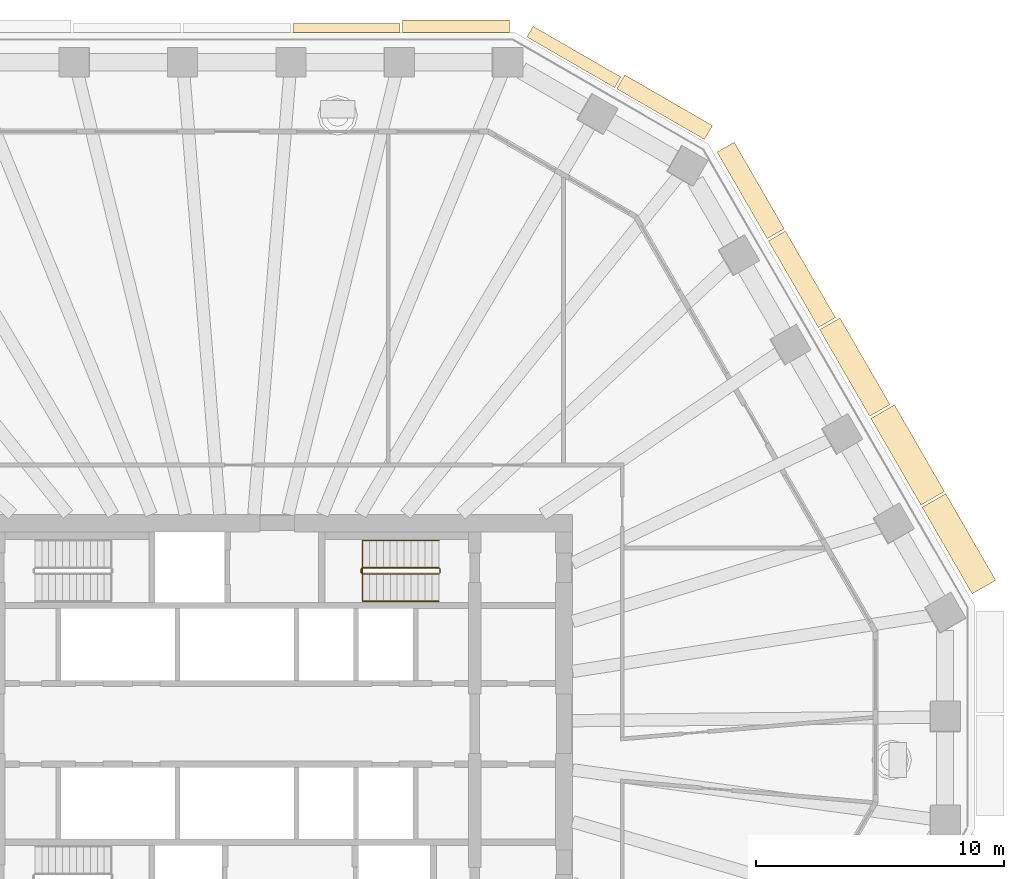
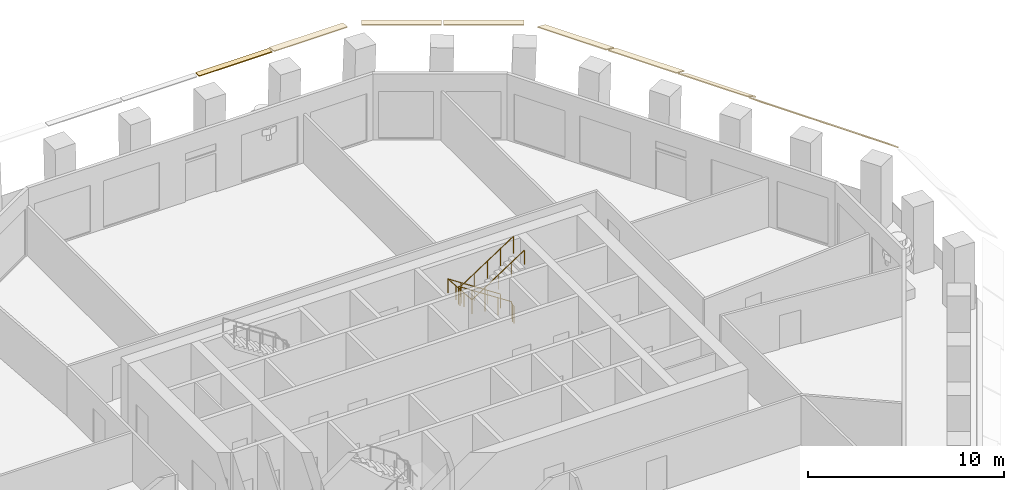
# One storey, part 10 of 12: 9 coverings, 2 railings.
"""IFC4 building model written with IfcOpenShell, lengths in metres."""

from ifc_helpers import new_model, si_unit, direction, frame, origin, origin_2d, place, context, subcontext, project, spatial, polyline, circle, outline, extrude, material, layer, layer_set, type_object, element, save


model = new_model("IFC4")

# Units and contexts
model_context = context("Model", 3, precision=1e-05, world=origin(), true_north=direction((0.0, 1.0)))
body_context = subcontext(model_context, "Body", "Model", "MODEL_VIEW")
ifc_project = project(units=[si_unit("LENGTHUNIT", "METRE"), si_unit("AREAUNIT", "SQUARE_METRE"), si_unit("VOLUMEUNIT", "CUBIC_METRE"), si_unit("PLANEANGLEUNIT", "RADIAN"), si_unit("MASSUNIT", "GRAM", prefix="KILO")], contexts=[model_context])

# Site, building, storey
site_placement = place(None, origin())
site = spatial("IfcSite", under=ifc_project, at=site_placement, CompositionType="ELEMENT")
building_placement = place(site_placement, origin())
building = spatial("IfcBuilding", under=site, at=building_placement, Name="Frailejon Research Tower", CompositionType="ELEMENT")
storey_placement = place(building_placement, frame((0.0, 0.0, 154.0)))
storey = spatial("IfcBuildingStorey", under=building, at=storey_placement, Name="L33", CompositionType="ELEMENT", Elevation=154.0)

# Coverings
ifc_material_1 = material(Name="Precast concrete C50/60", Category="concrete")
ifc_layer_1 = layer(ifc_material_1, 0.06005859375)
ifc_layer_set_1 = layer_set([ifc_layer_1], Name="Brim blade depth 1100")
covering_type_1 = type_object("IfcCoveringType", Name="Brim blade depth 1100", PredefinedType="CLADDING", material=ifc_layer_set_1)
for number, where, z_axis, x_axis, name in (
    (1, (27.6484375, 8.7412109375, 4.25), (0.500005682111, -0.866022123192, 0.0), (0.866022123192, 0.500005682111, 0.0), "Brim blade L33"),
    (2, (25.580322265625, 12.322998046875, 4.25), (0.49998754911, -0.86603259219, 0.0), (0.86603259219, 0.49998754911, 0.0), "Brim blade L33"),
):
    element("IfcCovering", number, at=place(storey_placement, frame(where, z_axis=z_axis, x_axis=x_axis)), inside=storey, type_object=covering_type_1, Name=name, PredefinedType="CLADDING", context=body_context, shape_type="SweptSolid", body=[
        extrude(outline(polyline([(0.0, -0.078369140625), (1.10009765625, -1.001220703125), (1.10009765625, -0.923095703125), (0.0, 0.0), (0.0, -0.078369140625)])), origin(), (0.0, 0.0, 1.0), 4.0361328125),
    ])
ifc_material_2 = material(Name="Precast concrete C50/60", Category="concrete")
ifc_layer_2 = layer(ifc_material_2, 0.06005859375)
ifc_layer_set_2 = layer_set([ifc_layer_2], Name="Brim blade depth 350")
covering_type_2 = type_object("IfcCoveringType", Name="Brim blade depth 350", PredefinedType="CLADDING", material=ifc_layer_set_2)
covering_1_placement = place(storey_placement, frame((2.26171875, 27.89990234375, 4.25), z_axis=(1.0, 0.0, 0.0), x_axis=(0.0, 1.0, 0.0)))
element("IfcCovering", 3, at=covering_1_placement, inside=storey, type_object=covering_type_2, Name="Brim blade L33", PredefinedType="CLADDING", context=body_context, shape_type="SweptSolid", body=[
    extrude(outline(polyline([(0.0, -0.06005859375), (0.35009765625, -0.06005859375), (0.35009765625, 0.0), (0.0, 0.0), (0.0, -0.06005859375)])), origin(), (0.0, 0.0, 1.0), 4.323486328125),
])
ifc_material_3 = material(Name="Precast concrete C50/60", Category="concrete")
ifc_layer_3 = layer(ifc_material_3, 0.06005859375)
ifc_layer_set_3 = layer_set([ifc_layer_3], Name="Brim blade depth 500")
covering_type_3 = type_object("IfcCoveringType", Name="Brim blade depth 500", PredefinedType="CLADDING", material=ifc_layer_set_3)
covering_2_placement = place(storey_placement, frame((11.7021484375, 27.714111328125, 4.25), z_axis=(0.866021344981, -0.500007029989, 0.0), x_axis=(0.500007029989, 0.866021344981, 0.0)))
element("IfcCovering", 4, at=covering_2_placement, inside=storey, type_object=covering_type_3, Name="Brim blade L33", PredefinedType="CLADDING", context=body_context, shape_type="SweptSolid", body=[
    extrude(outline(polyline([(0.0, -0.060546875), (0.5, -0.130859375), (0.5, -0.0703125), (0.0, 0.0), (0.0, -0.060546875)])), origin(), (0.0, 0.0, 1.0), 4.08740234375),
])
covering_3_placement = place(storey_placement, frame((6.685302734375, 27.89990234375, 4.25), z_axis=(1.0, 0.0, 0.0), x_axis=(0.0, 1.0, 0.0)))
element("IfcCovering", 5, at=covering_3_placement, inside=storey, type_object=covering_type_3, Name="Brim blade L33", PredefinedType="CLADDING", context=body_context, shape_type="SweptSolid", body=[
    extrude(outline(polyline([(0.0, -0.060546875), (0.5, -0.130859375), (0.5, -0.0703125), (0.0, 0.0), (0.0, -0.060546875)])), origin(), (0.0, 0.0, 1.0), 4.323486328125),
])
ifc_material_4 = material(Name="Precast concrete C50/60", Category="concrete")
ifc_layer_4 = layer(ifc_material_4, 0.06005859375)
ifc_layer_set_4 = layer_set([ifc_layer_4], Name="Brim blade depth 650")
covering_type_4 = type_object("IfcCoveringType", Name="Brim blade depth 650", PredefinedType="CLADDING", material=ifc_layer_set_4)
covering_4_placement = place(storey_placement, frame((15.32861328125, 25.620361328125, 4.25), z_axis=(0.866021344981, -0.500007029989, 0.0), x_axis=(0.500007029989, 0.866021344981, 0.0)))
element("IfcCovering", 6, at=covering_4_placement, inside=storey, type_object=covering_type_4, Name="Brim blade L33", PredefinedType="CLADDING", context=body_context, shape_type="SweptSolid", body=[
    extrude(outline(polyline([(0.0, -0.0625), (0.64990234375, -0.248779296875), (0.64990234375, -0.186279296875), (0.0, 0.0), (0.0, -0.0625)])), origin(), (0.0, 0.0, 1.0), 4.08740234375),
])
ifc_material_5 = material(Name="Precast concrete C50/60", Category="concrete")
ifc_layer_5 = layer(ifc_material_5, 0.06005859375)
ifc_layer_set_5 = layer_set([ifc_layer_5], Name="Brim blade depth 800")
covering_type_5 = type_object("IfcCoveringType", Name="Brim blade depth 800", PredefinedType="CLADDING", material=ifc_layer_set_5)
for number, where, z_axis, x_axis, name in (
    (7, (21.444091796875, 19.487060546875, 4.25), (0.500005682111, -0.866022123192, 0.0), (0.866022123192, 0.500005682111, 0.0), "Brim blade L33"),
    (8, (19.376220703125, 23.069091796875, 4.25), (0.500005682111, -0.866022123192, 0.0), (0.866022123192, 0.500005682111, 0.0), "Brim blade L33"),
):
    element("IfcCovering", number, at=place(storey_placement, frame(where, z_axis=z_axis, x_axis=x_axis)), inside=storey, type_object=covering_type_5, Name=name, PredefinedType="CLADDING", context=body_context, shape_type="SweptSolid", body=[
        extrude(outline(polyline([(0.0, -0.065673828125), (0.800048828125, -0.421875), (0.800048828125, -0.356201171875), (0.0, 0.0), (0.0, -0.065673828125)])), origin(), (0.0, 0.0, 1.0), 4.0361328125),
    ])
ifc_material_6 = material(Name="Precast concrete C50/60", Category="concrete")
ifc_layer_6 = layer(ifc_material_6, 0.06005859375)
ifc_layer_set_6 = layer_set([ifc_layer_6], Name="Brim blade depth 950")
covering_type_6 = type_object("IfcCoveringType", Name="Brim blade depth 950", PredefinedType="CLADDING", material=ifc_layer_set_6)
covering_5_placement = place(storey_placement, frame((23.51220703125, 15.905029296875, 4.25), z_axis=(0.500005682111, -0.866022123192, 0.0), x_axis=(0.866022123192, 0.500005682111, 0.0)))
element("IfcCovering", 9, at=covering_5_placement, inside=storey, type_object=covering_type_6, Name="Brim blade L33", PredefinedType="CLADDING", context=body_context, shape_type="SweptSolid", body=[
    extrude(outline(polyline([(0.0, -0.07080078125), (0.949951171875, -0.664306640625), (0.949951171875, -0.593505859375), (0.0, 0.0), (0.0, -0.07080078125)])), origin(), (0.0, 0.0, 1.0), 4.0361328125),
])

# Railings
ifc_material_7 = material(Name="Stainless steel", Category="steel")
railing_type_1 = type_object("IfcRailingType", Name="Stair guard 1100", PredefinedType="GUARDRAIL", material=ifc_material_7)
railing_1_placement = place(storey_placement, frame((8.199951171875, 6.10009765625, 0.0)))
element("IfcRailing", 10, at=railing_1_placement, inside=storey, type_object=railing_type_1, Name="L33 ST3 stair guard 1", PredefinedType="GUARDRAIL", context=body_context, shape_type="SweptSolid", body=[
    extrude(circle(Radius=0.02392578125, at=origin_2d()), frame((0.0, 0.0, 1.076171875), z_axis=(0.0, 1.0, 0.0), x_axis=(-1.0, 0.0, 0.0)), (0.0, 0.0, 1.0), 0.14990234375),
    extrude(circle(Radius=0.02392578125, at=origin_2d()), frame((0.0, 0.14990234375, 1.076171875), z_axis=(-0.254653276557, 0.254653276557, 0.932900539971), x_axis=(-0.707106781187, -0.707106781187, 0.0)), (0.0, 0.0, 1.0), 0.196533203125),
    extrude(circle(Radius=0.02392578125, at=origin_2d()), frame((-0.050048828125, 0.199951171875, 1.25927734375), z_axis=(-0.836613101238, 0.0, 0.547794230379), x_axis=(0.0, -1.0, 0.0)), (0.0, 0.0, 1.0), 3.681396484375),
    extrude(circle(Radius=0.02392578125, at=origin_2d()), frame((-3.1298828125, 0.199951171875, 3.27587890625), z_axis=(-0.707106781187, -0.707106781187, 0.0), x_axis=(0.707106781187, -0.707106781187, 0.0)), (0.0, 0.0, 1.0), 0.07080078125),
    extrude(circle(Radius=0.02392578125, at=origin_2d()), frame((-3.179931640625, 0.14990234375, 3.27587890625), z_axis=(0.0, -1.0, 0.0), x_axis=(1.0, 0.0, 0.0)), (0.0, 0.0, 1.0), 0.14990234375),
    extrude(circle(Radius=0.02392578125, at=origin_2d()), frame((-3.179931640625, 0.0, 3.27587890625), z_axis=(0.254653276557, -0.254653276557, 0.932900539971), x_axis=(0.707106781187, 0.707106781187, 0.0)), (0.0, 0.0, 1.0), 0.196533203125),
    extrude(circle(Radius=0.02392578125, at=origin_2d()), frame((-3.1298828125, -0.050048828125, 3.45947265625), z_axis=(0.836613101238, 0.0, 0.547794230379), x_axis=(0.0, 1.0, 0.0)), (0.0, 0.0, 1.0), 3.681396484375),
    extrude(circle(Radius=0.02099609375, at=origin_2d()), origin(), (0.0, 0.0, 1.0), 1.052001953125),
    extrude(circle(Radius=0.02099609375, at=origin_2d()), frame((0.0, 0.14990234375, 0.0)), (0.0, 0.0, 1.0), 1.052001953125),
    extrude(circle(Radius=0.02099609375, at=origin_2d()), frame((-0.050048828125, 0.199951171875, 0.183349609375)), (0.0, 0.0, 1.0), 1.052001953125),
    extrude(circle(Radius=0.02099609375, at=origin_2d()), frame((-0.820068359375, 0.199951171875, 0.6875)), (0.0, 0.0, 1.0), 1.052001953125),
    extrude(circle(Radius=0.02099609375, at=origin_2d()), frame((-1.58984375, 0.199951171875, 1.191650390625)), (0.0, 0.0, 1.0), 1.052001953125),
    extrude(circle(Radius=0.02099609375, at=origin_2d()), frame((-2.35986328125, 0.199951171875, 1.69580078125)), (0.0, 0.0, 1.0), 1.052001953125),
    extrude(circle(Radius=0.02099609375, at=origin_2d()), frame((-3.1298828125, 0.199951171875, 2.199951171875)), (0.0, 0.0, 1.0), 1.052001953125),
    extrude(circle(Radius=0.02099609375, at=origin_2d()), frame((-3.179931640625, 0.14990234375, 2.199951171875)), (0.0, 0.0, 1.0), 1.052001953125),
    extrude(circle(Radius=0.02099609375, at=origin_2d()), frame((-3.179931640625, 0.0, 2.199951171875)), (0.0, 0.0, 1.0), 1.052001953125),
    extrude(circle(Radius=0.02099609375, at=origin_2d()), frame((-3.1298828125, -0.050048828125, 2.38330078125)), (0.0, 0.0, 1.0), 1.052001953125),
    extrude(circle(Radius=0.02099609375, at=origin_2d()), frame((-2.35986328125, -0.050048828125, 2.887451171875)), (0.0, 0.0, 1.0), 1.052001953125),
    extrude(circle(Radius=0.02099609375, at=origin_2d()), frame((-1.58984375, -0.050048828125, 3.3916015625)), (0.0, 0.0, 1.0), 1.052001953125),
    extrude(circle(Radius=0.02099609375, at=origin_2d()), frame((-0.820068359375, -0.050048828125, 3.895751953125)), (0.0, 0.0, 1.0), 1.052001953125),
    extrude(circle(Radius=0.02099609375, at=origin_2d()), frame((-0.050048828125, -0.050048828125, 4.39990234375)), (0.0, 0.0, 1.0), 1.052001953125),
])
ifc_material_8 = material(Name="Stainless steel", Category="steel")
railing_type_2 = type_object("IfcRailingType", Name="Stair handrail 900", PredefinedType="HANDRAIL", material=ifc_material_8)
railing_2_placement = place(storey_placement, frame((8.14990234375, 7.39990234375, 0.183349609375)))
element("IfcRailing", 11, at=railing_2_placement, inside=storey, type_object=railing_type_2, Name="L33 ST3 stair handrail 1", PredefinedType="HANDRAIL", context=body_context, shape_type="SweptSolid", body=[
    extrude(circle(Radius=0.02392578125, at=origin_2d()), frame((0.0, 0.0, 0.8759765625), z_axis=(-0.836613101238, 0.0, 0.547794230379), x_axis=(0.0, -1.0, 0.0)), (0.0, 0.0, 1.0), 3.681396484375),
    extrude(circle(Radius=0.02392578125, at=origin_2d()), frame((-3.079833984375, 0.0, 2.892578125), z_axis=(0.0, -0.99721134034, 0.074629368868), x_axis=(1.0, 0.0, 0.0)), (0.0, 0.0, 1.0), 2.456787109375),
    extrude(circle(Radius=0.02392578125, at=origin_2d()), frame((-3.079833984375, -2.449951171875, 3.07568359375), z_axis=(0.836613101238, 0.0, 0.547794230379), x_axis=(0.0, 1.0, 0.0)), (0.0, 0.0, 1.0), 3.681396484375),
    extrude(circle(Radius=0.02099609375, at=origin_2d()), origin(), (0.0, 0.0, 1.0), 0.851806640625),
    extrude(circle(Radius=0.02099609375, at=origin_2d()), frame((-0.77001953125, 0.0, 0.504150390625)), (0.0, 0.0, 1.0), 0.851806640625),
    extrude(circle(Radius=0.02099609375, at=origin_2d()), frame((-1.5400390625, 0.0, 1.00830078125)), (0.0, 0.0, 1.0), 0.851806640625),
    extrude(circle(Radius=0.02099609375, at=origin_2d()), frame((-2.309814453125, 0.0, 1.512451171875)), (0.0, 0.0, 1.0), 0.851806640625),
    extrude(circle(Radius=0.02099609375, at=origin_2d()), frame((-3.079833984375, 0.0, 2.0166015625)), (0.0, 0.0, 1.0), 0.851806640625),
    extrude(circle(Radius=0.02099609375, at=origin_2d()), frame((-3.079833984375, -0.816650390625, 2.07763671875)), (0.0, 0.0, 1.0), 0.851806640625),
    extrude(circle(Radius=0.02099609375, at=origin_2d()), frame((-3.079833984375, -1.63330078125, 2.138916015625)), (0.0, 0.0, 1.0), 0.851806640625),
    extrude(circle(Radius=0.02099609375, at=origin_2d()), frame((-3.079833984375, -2.449951171875, 2.199951171875)), (0.0, 0.0, 1.0), 0.851806640625),
    extrude(circle(Radius=0.02099609375, at=origin_2d()), frame((-2.309814453125, -2.449951171875, 2.7041015625)), (0.0, 0.0, 1.0), 0.851806640625),
    extrude(circle(Radius=0.02099609375, at=origin_2d()), frame((-1.5400390625, -2.449951171875, 3.208251953125)), (0.0, 0.0, 1.0), 0.851806640625),
    extrude(circle(Radius=0.02099609375, at=origin_2d()), frame((-0.77001953125, -2.449951171875, 3.71240234375)), (0.0, 0.0, 1.0), 0.851806640625),
    extrude(circle(Radius=0.02099609375, at=origin_2d()), frame((0.0, -2.449951171875, 4.216552734375)), (0.0, 0.0, 1.0), 0.851806640625),
])

save(model, "model.ifc")
